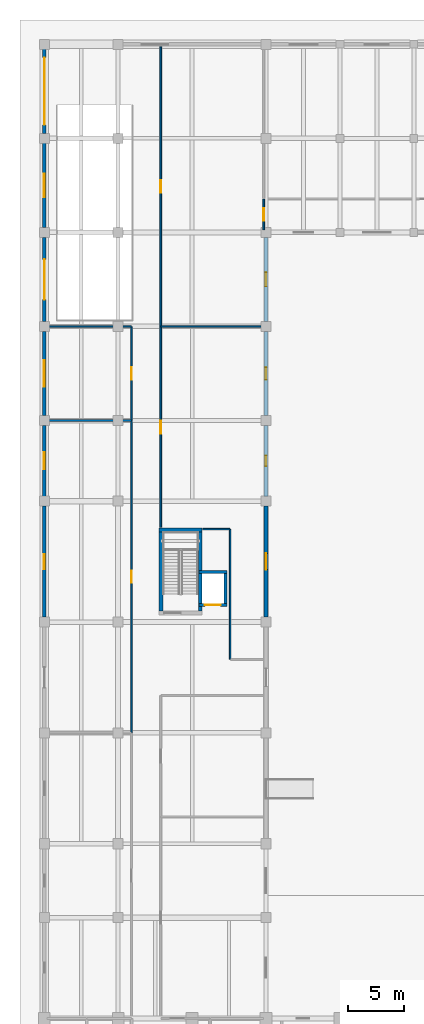
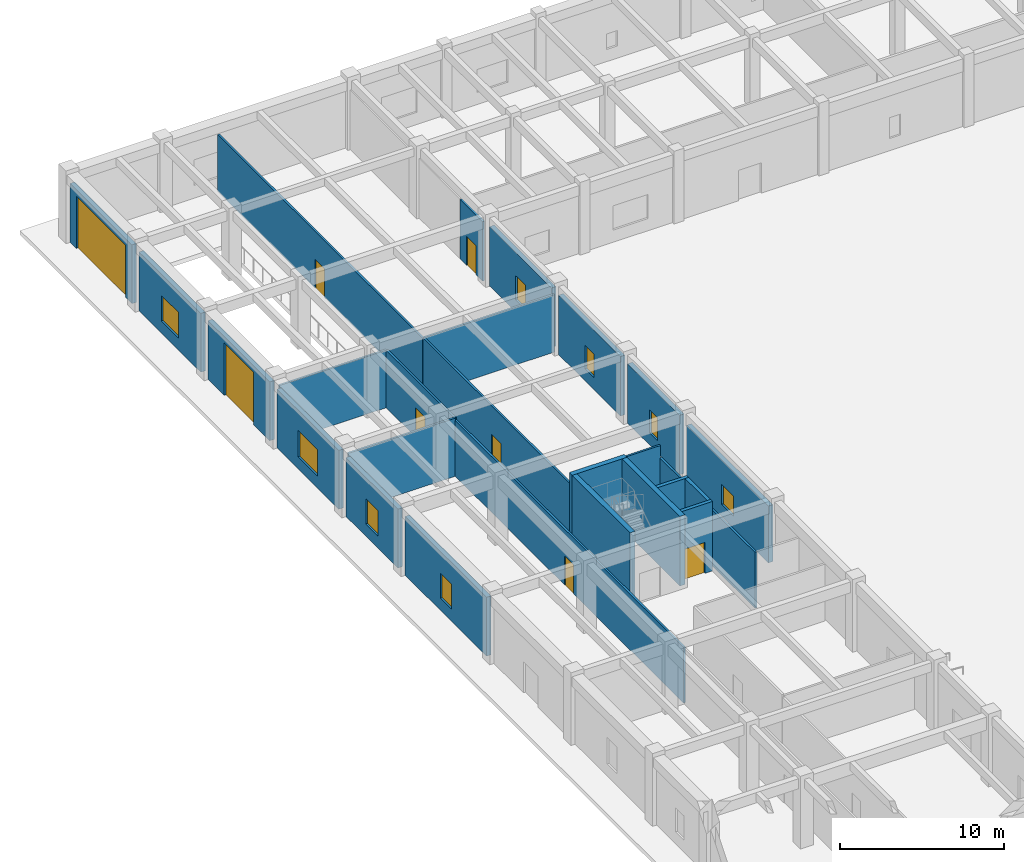
# One storey, part 53 of 70: 26 walls, 8 doors, 8 windows, 16 openings.
"""IFC4 building model written with IfcOpenShell, lengths in metres."""

from ifc_helpers import new_model, si_unit, direction, frame, frame_2d, origin, place, context, subcontext, project, spatial, rectangle, extrude, material, layer, layer_set, type_object, element, fill, save


model = new_model("IFC4")

# Units and contexts
model_context = context("Model", 3, precision=1e-05, world=origin(), true_north=direction((0.0, 1.0)))
body_context = subcontext(model_context, "Body", "Model", "MODEL_VIEW")
ifc_project = project(units=[si_unit("LENGTHUNIT", "METRE"), si_unit("AREAUNIT", "SQUARE_METRE"), si_unit("VOLUMEUNIT", "CUBIC_METRE"), si_unit("PLANEANGLEUNIT", "RADIAN"), si_unit("MASSUNIT", "GRAM", prefix="KILO")], contexts=[model_context])

# Site, building, storey
site_placement = place(None, origin())
site = spatial("IfcSite", under=ifc_project, at=site_placement, CompositionType="ELEMENT")
building_placement = place(site_placement, origin())
building = spatial("IfcBuilding", under=site, at=building_placement, Name="Miralva Faculty of Natural Sciences", CompositionType="ELEMENT")
storey_placement = place(building_placement, origin())
storey = spatial("IfcBuildingStorey", under=building, at=storey_placement, Name="L00", CompositionType="ELEMENT", Elevation=0.0)

# Walls
ifc_material_1 = material(Name="Concrete C50/60", Category="concrete")
ifc_layer_1 = layer(ifc_material_1, 0.35009765625, Name="WL-CW02")
ifc_layer_set_1 = layer_set([ifc_layer_1], Name="Concrete C50/60")
wall_type_1 = type_object("IfcWallType", Name="WL-CW02", PredefinedType="SHEAR", material=ifc_layer_set_1)
wall_1_placement = place(storey_placement, frame((13.25, 73.625, 0.0), z_axis=(0.0, 0.0, 1.0), x_axis=(1.0, 0.0, 0.0)))
element("IfcWall", 1, at=wall_1_placement, inside=storey, type_object=wall_type_1, Name="Core C2 shear wall north L00", PredefinedType="SHEAR", context=body_context, shape_type="SweptSolid", body=[
    extrude(rectangle(XDim=3.85009765625, YDim=0.35009765625, at=frame_2d((1.925048828125, 0.0))), origin(), (0.0, 0.0, 1.0), 5.179931640625),
])
for number, where, z_axis, x_axis, name in (
    (2, (13.425048828125, 66.39990234375, 0.0), (0.0, 0.0, 1.0), (0.0, 1.0, 0.0), "Core C2 shear wall west L00"),
    (3, (16.925048828125, 66.39990234375, 0.0), (0.0, 0.0, 1.0), (0.0, 1.0, 0.0), "Core C2 shear wall east L00"),
):
    element("IfcWall", number, at=place(storey_placement, frame(where, z_axis=z_axis, x_axis=x_axis)), inside=storey, type_object=wall_type_1, Name=name, PredefinedType="SHEAR", context=body_context, shape_type="SweptSolid", body=[
        extrude(rectangle(XDim=7.050048828125, YDim=0.35009765625, at=frame_2d((3.52490234375, 0.0))), origin(), (0.0, 0.0, 1.0), 5.179931640625),
    ])

# Wall, opening, door
ifc_material_2 = material(Name="Concrete C40/50", Category="concrete")
ifc_layer_2 = layer(ifc_material_2, 0.25, Name="WL-CW04")
ifc_layer_set_2 = layer_set([ifc_layer_2], Name="Concrete C40/50")
wall_type_2 = type_object("IfcWallType", Name="WL-CW04", PredefinedType="SHEAR", material=ifc_layer_set_2)
wall_2_placement = place(storey_placement, frame((16.804931640625, 66.929931640625, 0.0), z_axis=(0.0, 0.0, 1.0), x_axis=(1.0, 0.0, 0.0)))
wall_2 = element("IfcWall", 4, at=wall_2_placement, inside=storey, type_object=wall_type_2, Name="Lift L-04 hoistway front wall L00", PredefinedType="SHEAR", context=body_context, shape_type="SweptSolid", body=[
    extrude(rectangle(XDim=2.489990234375, YDim=0.25, at=frame_2d((1.2451171875, 0.0))), origin(), (0.0, 0.0, 1.0), 5.159912109375),
])
opening_1_placement = place(wall_2_placement, frame((0.544921875, 0.0, 0.0)))
opening_1 = element("IfcOpeningElement", 5, at=opening_1_placement, cuts=wall_2, Name="Opening LD-04", PredefinedType="OPENING", context=body_context, shape_type="SweptSolid", body=[
    extrude(rectangle(XDim=1.39990234375, YDim=2.300048828125, at=frame_2d((0.699951171875, 1.14990234375))), frame((0.0, 0.135009765625, 0.0), z_axis=(0.0, -1.0, 0.0), x_axis=(1.0, 0.0, 0.0)), (0.0, 0.0, 1.0), 0.27001953125),
])
ifc_material_3 = material(Name="Galvanised steel", Category="steel")
door_type_1 = type_object("IfcDoorType", Name="DR-LD04", OperationType="DOUBLE_DOOR_SLIDING", PredefinedType="DOOR", material=ifc_material_3)
door_1_placement = place(opening_1_placement, frame((1.39990234375, 0.0, 0.0), z_axis=(0.0, 0.0, 1.0), x_axis=(-1.0, 0.0, 0.0)))
door_1 = element("IfcDoor", 6, at=door_1_placement, inside=storey, type_object=door_type_1, Name="Lift L-04 sliding landing door L00", OperationType="DOUBLE_DOOR_SLIDING", OverallHeight=2.300048828125, OverallWidth=1.39990234375, PredefinedType="DOOR", context=body_context, shape_type="SweptSolid", body=[
    extrude(rectangle(XDim=1.39990234375, YDim=2.300048828125, at=frame_2d((0.699951171875, 1.14990234375))), frame((0.0, 0.02490234375, 0.0), z_axis=(0.0, -1.0, 0.0), x_axis=(1.0, 0.0, 0.0)), (0.0, 0.0, 1.0), 0.050048828125),
])
fill(opening_1, door_1)

# Walls
wall_3_placement = place(storey_placement, frame((16.804931640625, 69.8701171875, 0.0), z_axis=(0.0, 0.0, 1.0), x_axis=(1.0, 0.0, 0.0)))
element("IfcWall", 7, at=wall_3_placement, inside=storey, type_object=wall_type_2, Name="Lift L-04 hoistway rear wall L00", PredefinedType="SHEAR", context=body_context, shape_type="SweptSolid", body=[
    extrude(rectangle(XDim=2.489990234375, YDim=0.25, at=frame_2d((1.2451171875, 0.0))), origin(), (0.0, 0.0, 1.0), 5.159912109375),
])
wall_4_placement = place(storey_placement, frame((19.169921875, 67.054931640625, 0.0), z_axis=(0.0, 0.0, 1.0), x_axis=(0.0, 1.0, 0.0)))
element("IfcWall", 8, at=wall_4_placement, inside=storey, type_object=wall_type_2, Name="Lift L-04 hoistway E wall L00", PredefinedType="SHEAR", context=body_context, shape_type="SweptSolid", body=[
    extrude(rectangle(XDim=2.690185546875, YDim=0.25, at=frame_2d((1.34521484375, 0.0))), origin(), (0.0, 0.0, 1.0), 5.159912109375),
])
ifc_material_4 = material(Name="Gypsum plasterboard")
ifc_layer_3 = layer(ifc_material_4, 0.139892578125, Name="WL-PT04")
ifc_layer_set_3 = layer_set([ifc_layer_3], Name="Gypsum plasterboard")
wall_type_3 = type_object("IfcWallType", Name="WL-PT04", PredefinedType="PARTITIONING", material=ifc_layer_set_3)
wall_5_placement = place(storey_placement, frame((3.22998046875, 83.39990234375, 0.0), z_axis=(0.0, 0.0, 1.0), x_axis=(1.0, 0.0, 0.0)))
element("IfcWall", 9, at=wall_5_placement, inside=storey, type_object=wall_type_3, Name="Interior partition PT-04 L00-132", PredefinedType="PARTITIONING", context=body_context, shape_type="SweptSolid", body=[
    extrude(rectangle(XDim=7.5400390625, YDim=0.139892578125, at=frame_2d((3.77001953125, 0.0))), origin(), (0.0, 0.0, 1.0), 4.324951171875),
])

# Wall, opening, door
wall_6_placement = place(storey_placement, frame((10.800048828125, 55.530029296875, 0.0), z_axis=(0.0, 0.0, 1.0), x_axis=(0.0, 1.0, 0.0)))
wall_6 = element("IfcWall", 10, at=wall_6_placement, inside=storey, type_object=wall_type_3, Name="Interior partition PT-04 L00-133", PredefinedType="PARTITIONING", context=body_context, shape_type="SweptSolid", body=[
    extrude(rectangle(XDim=27.840087890625, YDim=0.139892578125, at=frame_2d((13.919921875, 0.0))), origin(), (0.0, 0.0, 1.0), 4.155029296875),
])
opening_2_placement = place(wall_6_placement, frame((13.3798828125, 0.0, 0.0)))
opening_2 = element("IfcOpeningElement", 11, at=opening_2_placement, cuts=wall_6, Name="Opening D-32", PredefinedType="OPENING", context=body_context, shape_type="SweptSolid", body=[
    extrude(rectangle(XDim=1.080078125, YDim=2.14990234375, at=frame_2d((0.5400390625, 1.074951171875))), frame((0.0, 0.079833984375, 0.0), z_axis=(0.0, -1.0, 0.0), x_axis=(1.0, 0.0, 0.0)), (0.0, 0.0, 1.0), 0.159912109375),
])
ifc_material_5 = material(Name="Anodised aluminium", Category="aluminium")
door_type_2 = type_object("IfcDoorType", Name="DR-DI32", OperationType="NOTDEFINED", PredefinedType="DOOR", material=ifc_material_5)
door_2_placement = place(opening_2_placement, origin())
door_2 = element("IfcDoor", 12, at=door_2_placement, inside=storey, type_object=door_type_2, Name="Interior door D-32 L00-50", OperationType="SINGLE_SWING_LEFT", OverallHeight=2.14990234375, OverallWidth=1.080078125, PredefinedType="DOOR", context=body_context, shape_type="SweptSolid", body=[
    extrude(rectangle(XDim=1.080078125, YDim=2.14990234375, at=frame_2d((0.5400390625, 1.074951171875))), frame((0.0, 0.02490234375, 0.0), z_axis=(0.0, -1.0, 0.0), x_axis=(1.0, 0.0, 0.0)), (0.0, 0.0, 1.0), 0.050048828125),
])
fill(opening_2, door_2)

# Wall
wall_7_placement = place(storey_placement, frame((3.22998046875, 91.800048828125, 0.0), z_axis=(0.0, 0.0, 1.0), x_axis=(1.0, 0.0, 0.0)))
element("IfcWall", 13, at=wall_7_placement, inside=storey, type_object=wall_type_3, Name="Interior partition PT-04 L00-134", PredefinedType="PARTITIONING", context=body_context, shape_type="SweptSolid", body=[
    extrude(rectangle(XDim=7.5400390625, YDim=0.139892578125, at=frame_2d((3.77001953125, 0.0))), origin(), (0.0, 0.0, 1.0), 4.27490234375),
])

# Wall, opening, door
wall_8_placement = place(storey_placement, frame((10.800048828125, 83.429931640625, 0.0), z_axis=(0.0, 0.0, 1.0), x_axis=(0.0, 1.0, 0.0)))
wall_8 = element("IfcWall", 14, at=wall_8_placement, inside=storey, type_object=wall_type_3, Name="Interior partition PT-04 L00-135", PredefinedType="PARTITIONING", context=body_context, shape_type="SweptSolid", body=[
    extrude(rectangle(XDim=8.340087890625, YDim=0.139892578125, at=frame_2d((4.169921875, 0.0))), origin(), (0.0, 0.0, 1.0), 4.27490234375),
])
opening_3_placement = place(wall_8_placement, frame((3.594970703125, 0.0, 0.0)))
opening_3 = element("IfcOpeningElement", 15, at=opening_3_placement, cuts=wall_8, Name="Opening D-24", PredefinedType="OPENING", context=body_context, shape_type="SweptSolid", body=[
    extrude(rectangle(XDim=1.14990234375, YDim=2.14990234375, at=frame_2d((0.574951171875, 1.074951171875))), frame((0.0, 0.079833984375, 0.0), z_axis=(0.0, -1.0, 0.0), x_axis=(1.0, 0.0, 0.0)), (0.0, 0.0, 1.0), 0.159912109375),
])
door_type_3 = type_object("IfcDoorType", Name="DR-DI24", OperationType="NOTDEFINED", PredefinedType="DOOR", material=ifc_material_5)
door_3_placement = place(opening_3_placement, origin())
door_3 = element("IfcDoor", 16, at=door_3_placement, inside=storey, type_object=door_type_3, Name="Interior door D-24 L00-51", OperationType="SINGLE_SWING_RIGHT", OverallHeight=2.14990234375, OverallWidth=1.14990234375, PredefinedType="DOOR", context=body_context, shape_type="SweptSolid", body=[
    extrude(rectangle(XDim=1.14990234375, YDim=2.14990234375, at=frame_2d((0.574951171875, 1.074951171875))), frame((0.0, 0.02490234375, 0.0), z_axis=(0.0, -1.0, 0.0), x_axis=(1.0, 0.0, 0.0)), (0.0, 0.0, 1.0), 0.050048828125),
])
fill(opening_3, door_3)

# Wall
wall_9_placement = place(storey_placement, frame((13.429931640625, 91.800048828125, 0.0), z_axis=(0.0, 0.0, 1.0), x_axis=(1.0, 0.0, 0.0)))
element("IfcWall", 17, at=wall_9_placement, inside=storey, type_object=wall_type_3, Name="Interior partition PT-04 L00-136", PredefinedType="PARTITIONING", context=body_context, shape_type="SweptSolid", body=[
    extrude(rectangle(XDim=9.14013671875, YDim=0.139892578125, at=frame_2d((4.570068359375, 0.0))), origin(), (0.0, 0.0, 1.0), 4.27490234375),
])

# Wall, opening, door
wall_10_placement = place(storey_placement, frame((13.39990234375, 73.853271484375, 0.0), z_axis=(0.0, 0.0, 1.0), x_axis=(0.0, 1.0, 0.0)))
wall_10 = element("IfcWall", 18, at=wall_10_placement, inside=storey, type_object=wall_type_3, Name="Interior partition PT-04 L00-137", PredefinedType="PARTITIONING", context=body_context, shape_type="SweptSolid", body=[
    extrude(rectangle(XDim=17.916748046875, YDim=0.139892578125, at=frame_2d((8.95849609375, 0.0))), origin(), (0.0, 0.0, 1.0), 4.27490234375),
])
opening_4_placement = place(wall_10_placement, frame((8.38330078125, 0.0, 0.0)))
opening_4 = element("IfcOpeningElement", 19, at=opening_4_placement, cuts=wall_10, Name="Opening D-24", PredefinedType="OPENING", context=body_context, shape_type="SweptSolid", body=[
    extrude(rectangle(XDim=1.14990234375, YDim=2.14990234375, at=frame_2d((0.574951171875, 1.074951171875))), frame((0.0, 0.079833984375, 0.0), z_axis=(0.0, -1.0, 0.0), x_axis=(1.0, 0.0, 0.0)), (0.0, 0.0, 1.0), 0.159912109375),
])
door_4_placement = place(opening_4_placement, origin())
door_4 = element("IfcDoor", 20, at=door_4_placement, inside=storey, type_object=door_type_3, Name="Interior door D-24 L00-52", OperationType="SINGLE_SWING_LEFT", OverallHeight=2.14990234375, OverallWidth=1.14990234375, PredefinedType="DOOR", context=body_context, shape_type="SweptSolid", body=[
    extrude(rectangle(XDim=1.14990234375, YDim=2.14990234375, at=frame_2d((0.574951171875, 1.074951171875))), frame((0.0, 0.02490234375, 0.0), z_axis=(0.0, -1.0, 0.0), x_axis=(1.0, 0.0, 0.0)), (0.0, 0.0, 1.0), 0.050048828125),
])
fill(opening_4, door_4)

# Walls
wall_11_placement = place(storey_placement, frame((19.60009765625, 62.080078125, 0.0), z_axis=(0.0, 0.0, 1.0), x_axis=(0.0, 1.0, 0.0)))
element("IfcWall", 21, at=wall_11_placement, inside=storey, type_object=wall_type_3, Name="Interior partition PT-04 L00-138", PredefinedType="PARTITIONING", context=body_context, shape_type="SweptSolid", body=[
    extrude(rectangle(XDim=11.58984375, YDim=0.139892578125, at=frame_2d((5.794921875, 0.0))), origin(), (0.0, 0.0, 1.0), 4.155029296875),
])
wall_12_placement = place(storey_placement, frame((17.140380859375, 73.699951171875, 0.0), z_axis=(0.0, 0.0, 1.0), x_axis=(1.0, 0.0, 0.0)))
element("IfcWall", 22, at=wall_12_placement, inside=storey, type_object=wall_type_3, Name="Interior partition PT-04 L00-139", PredefinedType="PARTITIONING", context=body_context, shape_type="SweptSolid", body=[
    extrude(rectangle(XDim=2.4296875, YDim=0.139892578125, at=frame_2d((1.21484375, 0.0))), origin(), (0.0, 0.0, 1.0), 5.080078125),
])

# Wall, opening, door
wall_13_placement = place(storey_placement, frame((13.39990234375, 91.830078125, 0.0), z_axis=(0.0, 0.0, 1.0), x_axis=(0.0, 1.0, 0.0)))
wall_13 = element("IfcWall", 23, at=wall_13_placement, inside=storey, type_object=wall_type_3, Name="Interior partition PT-04 L00-141", PredefinedType="PARTITIONING", context=body_context, shape_type="SweptSolid", body=[
    extrude(rectangle(XDim=24.93994140625, YDim=0.139892578125, at=frame_2d((12.469970703125, 0.0))), origin(), (0.0, 0.0, 1.0), 4.215087890625),
])
opening_5_placement = place(wall_13_placement, frame((11.89501953125, 0.0, 0.0)))
opening_5 = element("IfcOpeningElement", 24, at=opening_5_placement, cuts=wall_13, Name="Opening D-24", PredefinedType="OPENING", context=body_context, shape_type="SweptSolid", body=[
    extrude(rectangle(XDim=1.14990234375, YDim=2.14990234375, at=frame_2d((0.574951171875, 1.074951171875))), frame((0.0, 0.079833984375, 0.0), z_axis=(0.0, -1.0, 0.0), x_axis=(1.0, 0.0, 0.0)), (0.0, 0.0, 1.0), 0.159912109375),
])
door_5_placement = place(opening_5_placement, origin())
door_5 = element("IfcDoor", 25, at=door_5_placement, inside=storey, type_object=door_type_3, Name="Interior door D-24 L00-53", OperationType="SINGLE_SWING_RIGHT", OverallHeight=2.14990234375, OverallWidth=1.14990234375, PredefinedType="DOOR", context=body_context, shape_type="SweptSolid", body=[
    extrude(rectangle(XDim=1.14990234375, YDim=2.14990234375, at=frame_2d((0.574951171875, 1.074951171875))), frame((0.0, 0.02490234375, 0.0), z_axis=(0.0, -1.0, 0.0), x_axis=(1.0, 0.0, 0.0)), (0.0, 0.0, 1.0), 0.050048828125),
])
fill(opening_5, door_5)

wall_14_placement = place(storey_placement, frame((22.60009765625, 100.429931640625, 0.0), z_axis=(0.0, 0.0, 1.0), x_axis=(0.0, 1.0, 0.0)))
wall_14 = element("IfcWall", 26, at=wall_14_placement, inside=storey, type_object=wall_type_3, Name="Interior partition PT-04 L00-143", PredefinedType="PARTITIONING", context=body_context, shape_type="SweptSolid", body=[
    extrude(rectangle(XDim=2.739990234375, YDim=0.139892578125, at=frame_2d((1.3701171875, 0.0))), origin(), (0.0, 0.0, 1.0), 4.425048828125),
])
opening_6_placement = place(wall_14_placement, frame((0.794921875, 0.0, 0.0)))
opening_6 = element("IfcOpeningElement", 27, at=opening_6_placement, cuts=wall_14, Name="Opening D-24", PredefinedType="OPENING", context=body_context, shape_type="SweptSolid", body=[
    extrude(rectangle(XDim=1.14990234375, YDim=2.14990234375, at=frame_2d((0.574951171875, 1.074951171875))), frame((0.0, 0.079833984375, 0.0), z_axis=(0.0, -1.0, 0.0), x_axis=(1.0, 0.0, 0.0)), (0.0, 0.0, 1.0), 0.159912109375),
])
door_6_placement = place(opening_6_placement, origin())
door_6 = element("IfcDoor", 28, at=door_6_placement, inside=storey, type_object=door_type_3, Name="Interior door D-24 L00-54", OperationType="SINGLE_SWING_LEFT", OverallHeight=2.14990234375, OverallWidth=1.14990234375, PredefinedType="DOOR", context=body_context, shape_type="SweptSolid", body=[
    extrude(rectangle(XDim=1.14990234375, YDim=2.14990234375, at=frame_2d((0.574951171875, 1.074951171875))), frame((0.0, 0.02490234375, 0.0), z_axis=(0.0, -1.0, 0.0), x_axis=(1.0, 0.0, 0.0)), (0.0, 0.0, 1.0), 0.050048828125),
])
fill(opening_6, door_6)

# Wall, opening, window
ifc_material_6 = material(Name="Precast concrete C40/50", Category="concrete")
ifc_layer_4 = layer(ifc_material_6, 0.320068359375, Name="WL-WT02")
ifc_layer_set_4 = layer_set([ifc_layer_4], Name="Precast concrete C40/50")
wall_type_4 = type_object("IfcWallType", Name="WL-WT02", PredefinedType="SOLIDWALL", material=ifc_layer_set_4)
wall_15_placement = place(storey_placement, frame((3.0, 65.8349609375, 0.0), z_axis=(0.0, 0.0, 1.0), x_axis=(0.0, 1.0, 0.0)))
wall_15 = element("IfcWall", 29, at=wall_15_placement, inside=storey, type_object=wall_type_4, Name="Exterior wall L00-146", PredefinedType="SOLIDWALL", context=body_context, shape_type="SweptSolid", body=[
    extrude(rectangle(XDim=9.929931640625, YDim=0.320068359375, at=frame_2d((4.96484375, 0.0))), origin(), (0.0, 0.0, 1.0), 4.375),
])
opening_7_placement = place(wall_15_placement, frame((4.2900390625, 0.0, 0.89990234375)))
opening_7 = element("IfcOpeningElement", 30, at=opening_7_placement, cuts=wall_15, Name="Opening W-05", PredefinedType="OPENING", context=body_context, shape_type="SweptSolid", body=[
    extrude(rectangle(XDim=1.35009765625, YDim=1.85009765625, at=frame_2d((0.675048828125, 0.925048828125))), frame((0.0, 0.169921875, 0.0), z_axis=(0.0, -1.0, 0.0), x_axis=(1.0, 0.0, 0.0)), (0.0, 0.0, 1.0), 0.340087890625),
])
ifc_material_7 = material(Name="Laminated solar-control glass", Category="glass")
window_type_1 = type_object("IfcWindowType", Name="WN-W05", PartitioningType="DOUBLE_PANEL_VERTICAL", PredefinedType="WINDOW", material=ifc_material_7)
window_1_placement = place(opening_7_placement, origin())
window_1 = element("IfcWindow", 31, at=window_1_placement, inside=storey, type_object=window_type_1, Name="Window W-05 L00-88", OverallHeight=1.85009765625, OverallWidth=1.35009765625, PartitioningType="DOUBLE_PANEL_VERTICAL", PredefinedType="WINDOW", context=body_context, shape_type="SweptSolid", body=[
    extrude(rectangle(XDim=1.35009765625, YDim=1.85009765625, at=frame_2d((0.675048828125, 0.925048828125))), frame((0.0, 0.030029296875, 0.0), z_axis=(0.0, -1.0, 0.0), x_axis=(1.0, 0.0, 0.0)), (0.0, 0.0, 1.0), 0.06005859375),
])
fill(opening_7, window_1)

wall_16_placement = place(storey_placement, frame((3.0, 76.635009765625, 0.0), z_axis=(0.0, 0.0, 1.0), x_axis=(0.0, 1.0, 0.0)))
wall_16 = element("IfcWall", 32, at=wall_16_placement, inside=storey, type_object=wall_type_4, Name="Exterior wall L00-147", PredefinedType="SOLIDWALL", context=body_context, shape_type="SweptSolid", body=[
    extrude(rectangle(XDim=6.330078125, YDim=0.320068359375, at=frame_2d((3.1650390625, 0.0))), origin(), (0.0, 0.0, 1.0), 4.375),
])
opening_8_placement = place(wall_16_placement, frame((2.4150390625, 0.0, 0.89990234375)))
opening_8 = element("IfcOpeningElement", 33, at=opening_8_placement, cuts=wall_16, Name="Opening W-06", PredefinedType="OPENING", context=body_context, shape_type="SweptSolid", body=[
    extrude(rectangle(XDim=1.5, YDim=1.89990234375, at=frame_2d((0.75, 0.949951171875))), frame((0.0, 0.169921875, 0.0), z_axis=(0.0, -1.0, 0.0), x_axis=(1.0, 0.0, 0.0)), (0.0, 0.0, 1.0), 0.340087890625),
])
window_type_2 = type_object("IfcWindowType", Name="WN-W06", PartitioningType="DOUBLE_PANEL_VERTICAL", PredefinedType="WINDOW", material=ifc_material_7)
window_2_placement = place(opening_8_placement, origin())
window_2 = element("IfcWindow", 34, at=window_2_placement, inside=storey, type_object=window_type_2, Name="Window W-06 L00-89", OverallHeight=1.89990234375, OverallWidth=1.5, PartitioningType="DOUBLE_PANEL_VERTICAL", PredefinedType="WINDOW", context=body_context, shape_type="SweptSolid", body=[
    extrude(rectangle(XDim=1.5, YDim=1.89990234375, at=frame_2d((0.75, 0.949951171875))), frame((0.0, 0.030029296875, 0.0), z_axis=(0.0, -1.0, 0.0), x_axis=(1.0, 0.0, 0.0)), (0.0, 0.0, 1.0), 0.06005859375),
])
fill(opening_8, window_2)

wall_17_placement = place(storey_placement, frame((3.0, 83.8349609375, 0.0), z_axis=(0.0, 0.0, 1.0), x_axis=(0.0, 1.0, 0.0)))
wall_17 = element("IfcWall", 35, at=wall_17_placement, inside=storey, type_object=wall_type_4, Name="Exterior wall L00-148", PredefinedType="SOLIDWALL", context=body_context, shape_type="SweptSolid", body=[
    extrude(rectangle(XDim=7.530029296875, YDim=0.320068359375, at=frame_2d((3.76513671875, 0.0))), origin(), (0.0, 0.0, 1.0), 4.375),
])
opening_9_placement = place(wall_17_placement, frame((2.56494140625, 0.0, 0.89990234375)))
opening_9 = element("IfcOpeningElement", 36, at=opening_9_placement, cuts=wall_17, Name="Opening W-07", PredefinedType="OPENING", context=body_context, shape_type="SweptSolid", body=[
    extrude(rectangle(XDim=2.39990234375, YDim=1.949951171875, at=frame_2d((1.199951171875, 0.97509765625))), frame((0.0, 0.169921875, 0.0), z_axis=(0.0, -1.0, 0.0), x_axis=(1.0, 0.0, 0.0)), (0.0, 0.0, 1.0), 0.340087890625),
])
window_type_3 = type_object("IfcWindowType", Name="WN-W07", PartitioningType="DOUBLE_PANEL_VERTICAL", PredefinedType="WINDOW", material=ifc_material_7)
window_3_placement = place(opening_9_placement, origin())
window_3 = element("IfcWindow", 37, at=window_3_placement, inside=storey, type_object=window_type_3, Name="Window W-07 L00-90", OverallHeight=1.949951171875, OverallWidth=2.39990234375, PartitioningType="DOUBLE_PANEL_VERTICAL", PredefinedType="WINDOW", context=body_context, shape_type="SweptSolid", body=[
    extrude(rectangle(XDim=2.39990234375, YDim=1.949951171875, at=frame_2d((1.199951171875, 0.97509765625))), frame((0.0, 0.030029296875, 0.0), z_axis=(0.0, -1.0, 0.0), x_axis=(1.0, 0.0, 0.0)), (0.0, 0.0, 1.0), 0.06005859375),
])
fill(opening_9, window_3)

# Wall, opening, door
wall_18_placement = place(storey_placement, frame((3.0, 92.235107421875, 0.0), z_axis=(0.0, 0.0, 1.0), x_axis=(0.0, 1.0, 0.0)))
wall_18 = element("IfcWall", 38, at=wall_18_placement, inside=storey, type_object=wall_type_4, Name="Exterior wall L00-149", PredefinedType="SOLIDWALL", context=body_context, shape_type="SweptSolid", body=[
    extrude(rectangle(XDim=7.52978515625, YDim=0.320068359375, at=frame_2d((3.764892578125, 0.0))), origin(), (0.0, 0.0, 1.0), 4.375),
])
opening_10_placement = place(wall_18_placement, frame((1.965087890625, 0.0, 0.0)))
opening_10 = element("IfcOpeningElement", 39, at=opening_10_placement, cuts=wall_18, Name="Opening D-07", PredefinedType="OPENING", context=body_context, shape_type="SweptSolid", body=[
    extrude(rectangle(XDim=3.60009765625, YDim=3.89990234375, at=frame_2d((1.800048828125, 1.949951171875))), frame((0.0, 0.169921875, 0.0), z_axis=(0.0, -1.0, 0.0), x_axis=(1.0, 0.0, 0.0)), (0.0, 0.0, 1.0), 0.340087890625),
])
door_type_4 = type_object("IfcDoorType", Name="DR-LDK1", OperationType="ROLLINGUP", PredefinedType="DOOR", material=ifc_material_3)
door_7_placement = place(opening_10_placement, origin())
door_7 = element("IfcDoor", 40, at=door_7_placement, inside=storey, type_object=door_type_4, Name="Vehicle roller shutter D-07", OperationType="ROLLINGUP", OverallHeight=3.89990234375, OverallWidth=3.60009765625, PredefinedType="DOOR", context=body_context, shape_type="SweptSolid", body=[
    extrude(rectangle(XDim=3.60009765625, YDim=3.89990234375, at=frame_2d((1.800048828125, 1.949951171875))), frame((0.0, 0.02490234375, 0.0), z_axis=(0.0, -1.0, 0.0), x_axis=(1.0, 0.0, 0.0)), (0.0, 0.0, 1.0), 0.050048828125),
])
fill(opening_10, door_7)

# Wall, opening, window
wall_19_placement = place(storey_placement, frame((3.0, 100.635009765625, 0.0), z_axis=(0.0, 0.0, 1.0), x_axis=(0.0, 1.0, 0.0)))
wall_19 = element("IfcWall", 41, at=wall_19_placement, inside=storey, type_object=wall_type_4, Name="Exterior wall L00-150", PredefinedType="SOLIDWALL", context=body_context, shape_type="SweptSolid", body=[
    extrude(rectangle(XDim=7.530029296875, YDim=0.320068359375, at=frame_2d((3.76513671875, 0.0))), origin(), (0.0, 0.0, 1.0), 4.375),
])
opening_11_placement = place(wall_19_placement, frame((2.715087890625, 0.0, 0.89990234375)))
opening_11 = element("IfcOpeningElement", 42, at=opening_11_placement, cuts=wall_19, Name="Opening W-09", PredefinedType="OPENING", context=body_context, shape_type="SweptSolid", body=[
    extrude(rectangle(XDim=2.10009765625, YDim=1.89990234375, at=frame_2d((1.050048828125, 0.949951171875))), frame((0.0, 0.169921875, 0.0), z_axis=(0.0, -1.0, 0.0), x_axis=(1.0, 0.0, 0.0)), (0.0, 0.0, 1.0), 0.340087890625),
])
window_type_4 = type_object("IfcWindowType", Name="WN-W09", PartitioningType="DOUBLE_PANEL_VERTICAL", PredefinedType="WINDOW", material=ifc_material_7)
window_4_placement = place(opening_11_placement, origin())
window_4 = element("IfcWindow", 43, at=window_4_placement, inside=storey, type_object=window_type_4, Name="Window W-09 L00-91", OverallHeight=1.89990234375, OverallWidth=2.10009765625, PartitioningType="DOUBLE_PANEL_VERTICAL", PredefinedType="WINDOW", context=body_context, shape_type="SweptSolid", body=[
    extrude(rectangle(XDim=2.10009765625, YDim=1.89990234375, at=frame_2d((1.050048828125, 0.949951171875))), frame((0.0, 0.030029296875, 0.0), z_axis=(0.0, -1.0, 0.0), x_axis=(1.0, 0.0, 0.0)), (0.0, 0.0, 1.0), 0.06005859375),
])
fill(opening_11, window_4)

# Wall, opening, door
wall_20_placement = place(storey_placement, frame((3.0, 109.034912109375, 0.0), z_axis=(0.0, 0.0, 1.0), x_axis=(0.0, 1.0, 0.0)))
wall_20 = element("IfcWall", 44, at=wall_20_placement, inside=storey, type_object=wall_type_4, Name="Exterior wall L00-151", PredefinedType="SOLIDWALL", context=body_context, shape_type="SweptSolid", body=[
    extrude(rectangle(XDim=7.530029296875, YDim=0.320068359375, at=frame_2d((3.76513671875, 0.0))), origin(), (0.0, 0.0, 1.0), 4.375),
])
opening_12_placement = place(wall_20_placement, frame((0.764892578125, 0.0, 0.0)))
opening_12 = element("IfcOpeningElement", 45, at=opening_12_placement, cuts=wall_20, Name="Opening GATE-01", PredefinedType="OPENING", context=body_context, shape_type="SweptSolid", body=[
    extrude(rectangle(XDim=6.0, YDim=3.89990234375, at=frame_2d((3.0, 1.949951171875))), frame((0.0, 0.169921875, 0.0), z_axis=(0.0, -1.0, 0.0), x_axis=(1.0, 0.0, 0.0)), (0.0, 0.0, 1.0), 0.340087890625),
])
door_type_5 = type_object("IfcDoorType", Name="DR-GT01", OperationType="ROLLINGUP", PredefinedType="DOOR", material=ifc_material_3)
door_8_placement = place(opening_12_placement, origin())
door_8 = element("IfcDoor", 46, at=door_8_placement, inside=storey, type_object=door_type_5, Name="Vehicle roller shutter GATE-01", OperationType="ROLLINGUP", OverallHeight=3.89990234375, OverallWidth=6.0, PredefinedType="DOOR", context=body_context, shape_type="SweptSolid", body=[
    extrude(rectangle(XDim=6.0, YDim=3.89990234375, at=frame_2d((3.0, 1.949951171875))), frame((0.0, 0.02490234375, 0.0), z_axis=(0.0, -1.0, 0.0), x_axis=(1.0, 0.0, 0.0)), (0.0, 0.0, 1.0), 0.050048828125),
])
fill(opening_12, door_8)

# Wall, opening, window
wall_21_placement = place(storey_placement, frame((22.800048828125, 65.8349609375, 0.0), z_axis=(0.0, 0.0, 1.0), x_axis=(0.0, 1.0, 0.0)))
wall_21 = element("IfcWall", 47, at=wall_21_placement, inside=storey, type_object=wall_type_4, Name="Exterior wall L00-156", PredefinedType="SOLIDWALL", context=body_context, shape_type="SweptSolid", body=[
    extrude(rectangle(XDim=9.929931640625, YDim=0.320068359375, at=frame_2d((4.96484375, 0.0))), origin(), (0.0, 0.0, 1.0), 4.22509765625),
])
opening_13_placement = place(wall_21_placement, frame((4.239990234375, 0.0, 0.89990234375)))
opening_13 = element("IfcOpeningElement", 48, at=opening_13_placement, cuts=wall_21, Name="Opening W-19", PredefinedType="OPENING", context=body_context, shape_type="SweptSolid", body=[
    extrude(rectangle(XDim=1.449951171875, YDim=1.5, at=frame_2d((0.72509765625, 0.75))), frame((0.0, 0.169921875, 0.0), z_axis=(0.0, -1.0, 0.0), x_axis=(1.0, 0.0, 0.0)), (0.0, 0.0, 1.0), 0.340087890625),
])
window_type_5 = type_object("IfcWindowType", Name="WN-W19", PartitioningType="SINGLE_PANEL", PredefinedType="WINDOW", material=ifc_material_7)
window_5_placement = place(opening_13_placement, frame((1.449951171875, 0.0, 0.0), z_axis=(0.0, 0.0, 1.0), x_axis=(-1.0, 0.0, 0.0)))
window_5 = element("IfcWindow", 49, at=window_5_placement, inside=storey, type_object=window_type_5, Name="Window W-19 L00-95", OverallHeight=1.5, OverallWidth=1.449951171875, PartitioningType="SINGLE_PANEL", PredefinedType="WINDOW", context=body_context, shape_type="SweptSolid", body=[
    extrude(rectangle(XDim=1.449951171875, YDim=1.5, at=frame_2d((0.72509765625, 0.75))), frame((0.0, 0.030029296875, 0.0), z_axis=(0.0, -1.0, 0.0), x_axis=(1.0, 0.0, 0.0)), (0.0, 0.0, 1.0), 0.06005859375),
])
fill(opening_13, window_5)

wall_22_placement = place(storey_placement, frame((22.800048828125, 76.635009765625, 0.0), z_axis=(0.0, 0.0, 1.0), x_axis=(0.0, 1.0, 0.0)))
wall_22 = element("IfcWall", 50, at=wall_22_placement, inside=storey, type_object=wall_type_4, Name="Exterior wall L00-157", PredefinedType="SOLIDWALL", context=body_context, shape_type="SweptSolid", body=[
    extrude(rectangle(XDim=6.330078125, YDim=0.320068359375, at=frame_2d((3.1650390625, 0.0))), origin(), (0.0, 0.0, 1.0), 4.425048828125),
])
opening_14_placement = place(wall_22_placement, frame((2.68994140625, 0.0, 0.89990234375)))
opening_14 = element("IfcOpeningElement", 51, at=opening_14_placement, cuts=wall_22, Name="Opening W-21", PredefinedType="OPENING", context=body_context, shape_type="SweptSolid", body=[
    extrude(rectangle(XDim=0.949951171875, YDim=1.699951171875, at=frame_2d((0.47509765625, 0.85009765625))), frame((0.0, 0.169921875, 0.0), z_axis=(0.0, -1.0, 0.0), x_axis=(1.0, 0.0, 0.0)), (0.0, 0.0, 1.0), 0.340087890625),
])
window_type_6 = type_object("IfcWindowType", Name="WN-W21", PartitioningType="DOUBLE_PANEL_VERTICAL", PredefinedType="WINDOW", material=ifc_material_7)
window_6_placement = place(opening_14_placement, frame((0.949951171875, 0.0, 0.0), z_axis=(0.0, 0.0, 1.0), x_axis=(-1.0, 0.0, 0.0)))
window_6 = element("IfcWindow", 52, at=window_6_placement, inside=storey, type_object=window_type_6, Name="Window W-21 L00-96", OverallHeight=1.699951171875, OverallWidth=0.949951171875, PartitioningType="DOUBLE_PANEL_VERTICAL", PredefinedType="WINDOW", context=body_context, shape_type="SweptSolid", body=[
    extrude(rectangle(XDim=0.949951171875, YDim=1.699951171875, at=frame_2d((0.47509765625, 0.85009765625))), frame((0.0, 0.030029296875, 0.0), z_axis=(0.0, -1.0, 0.0), x_axis=(1.0, 0.0, 0.0)), (0.0, 0.0, 1.0), 0.06005859375),
])
fill(opening_14, window_6)

wall_23_placement = place(storey_placement, frame((22.800048828125, 83.8349609375, 0.0), z_axis=(0.0, 0.0, 1.0), x_axis=(0.0, 1.0, 0.0)))
wall_23 = element("IfcWall", 53, at=wall_23_placement, inside=storey, type_object=wall_type_4, Name="Exterior wall L00-158", PredefinedType="SOLIDWALL", context=body_context, shape_type="SweptSolid", body=[
    extrude(rectangle(XDim=7.530029296875, YDim=0.320068359375, at=frame_2d((3.76513671875, 0.0))), origin(), (0.0, 0.0, 1.0), 4.425048828125),
])
opening_15_placement = place(wall_23_placement, frame((3.215087890625, 0.0, 0.89990234375)))
opening_15 = element("IfcOpeningElement", 54, at=opening_15_placement, cuts=wall_23, Name="Opening W-22", PredefinedType="OPENING", context=body_context, shape_type="SweptSolid", body=[
    extrude(rectangle(XDim=1.10009765625, YDim=1.75, at=frame_2d((0.550048828125, 0.875))), frame((0.0, 0.169921875, 0.0), z_axis=(0.0, -1.0, 0.0), x_axis=(1.0, 0.0, 0.0)), (0.0, 0.0, 1.0), 0.340087890625),
])
window_type_7 = type_object("IfcWindowType", Name="WN-W22", PartitioningType="DOUBLE_PANEL_VERTICAL", PredefinedType="WINDOW", material=ifc_material_7)
window_7_placement = place(opening_15_placement, frame((1.10009765625, 0.0, 0.0), z_axis=(0.0, 0.0, 1.0), x_axis=(-1.0, 0.0, 0.0)))
window_7 = element("IfcWindow", 55, at=window_7_placement, inside=storey, type_object=window_type_7, Name="Window W-22 L00-97", OverallHeight=1.75, OverallWidth=1.10009765625, PartitioningType="DOUBLE_PANEL_VERTICAL", PredefinedType="WINDOW", context=body_context, shape_type="SweptSolid", body=[
    extrude(rectangle(XDim=1.10009765625, YDim=1.75, at=frame_2d((0.550048828125, 0.875))), frame((0.0, 0.030029296875, 0.0), z_axis=(0.0, -1.0, 0.0), x_axis=(1.0, 0.0, 0.0)), (0.0, 0.0, 1.0), 0.06005859375),
])
fill(opening_15, window_7)

wall_24_placement = place(storey_placement, frame((22.800048828125, 92.235107421875, 0.0), z_axis=(0.0, 0.0, 1.0), x_axis=(0.0, 1.0, 0.0)))
wall_24 = element("IfcWall", 56, at=wall_24_placement, inside=storey, type_object=wall_type_4, Name="Exterior wall L00-159", PredefinedType="SOLIDWALL", context=body_context, shape_type="SweptSolid", body=[
    extrude(rectangle(XDim=7.52978515625, YDim=0.320068359375, at=frame_2d((3.764892578125, 0.0))), origin(), (0.0, 0.0, 1.0), 4.425048828125),
])
opening_16_placement = place(wall_24_placement, frame((3.139892578125, 0.0, 0.89990234375)))
opening_16 = element("IfcOpeningElement", 57, at=opening_16_placement, cuts=wall_24, Name="Opening W-23", PredefinedType="OPENING", context=body_context, shape_type="SweptSolid", body=[
    extrude(rectangle(XDim=1.25, YDim=1.800048828125, at=frame_2d((0.625, 0.89990234375))), frame((0.0, 0.169921875, 0.0), z_axis=(0.0, -1.0, 0.0), x_axis=(1.0, 0.0, 0.0)), (0.0, 0.0, 1.0), 0.340087890625),
])
window_type_8 = type_object("IfcWindowType", Name="WN-W23", PartitioningType="DOUBLE_PANEL_VERTICAL", PredefinedType="WINDOW", material=ifc_material_7)
window_8_placement = place(opening_16_placement, frame((1.25, 0.0, 0.0), z_axis=(0.0, 0.0, 1.0), x_axis=(-1.0, 0.0, 0.0)))
window_8 = element("IfcWindow", 58, at=window_8_placement, inside=storey, type_object=window_type_8, Name="Window W-23 L00-98", OverallHeight=1.800048828125, OverallWidth=1.25, PartitioningType="DOUBLE_PANEL_VERTICAL", PredefinedType="WINDOW", context=body_context, shape_type="SweptSolid", body=[
    extrude(rectangle(XDim=1.25, YDim=1.800048828125, at=frame_2d((0.625, 0.89990234375))), frame((0.0, 0.030029296875, 0.0), z_axis=(0.0, -1.0, 0.0), x_axis=(1.0, 0.0, 0.0)), (0.0, 0.0, 1.0), 0.06005859375),
])
fill(opening_16, window_8)

save(model, "model.ifc")
